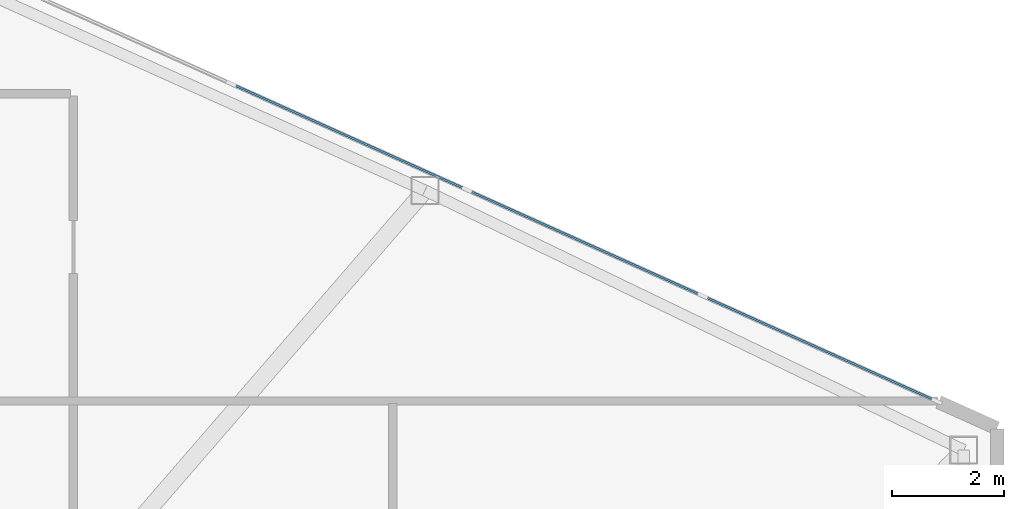
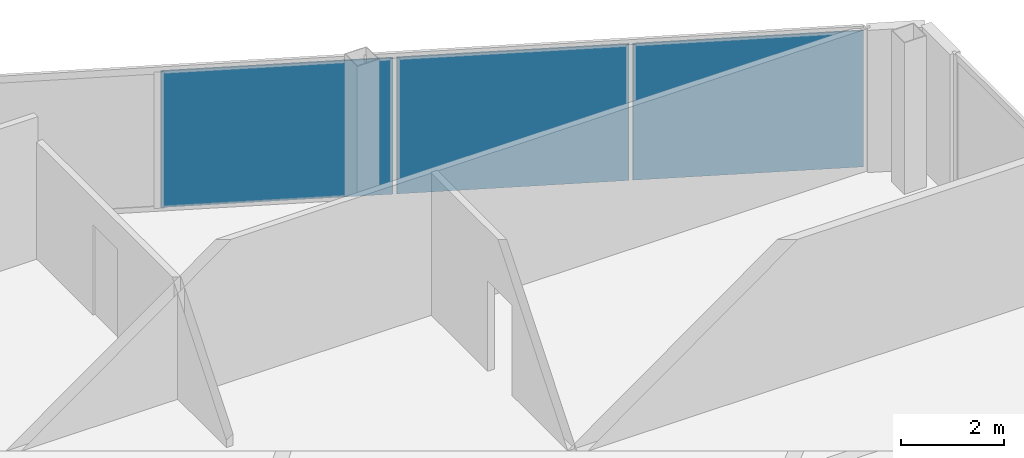
# One storey, part 18 of 27: 3 plates, 1 element without a shape of its own.
"""IFC4 building model written with IfcOpenShell, lengths in metres."""

import ifcopenshell
import ifcopenshell.guid

model = None  # the IFC model being written
_history = None  # IfcOwnerHistory: only IFC2X3 demands one
_inside = {}  # id of a spatial element -> (the spatial element, [elements in it])
_under = {}  # id of a project, library or spatial element -> (it, [spatial elements below it])
_declared = {}  # id of a project -> (the project, [libraries it declares])
_typed = {}  # id of a type object -> (the type object, [elements of that type])
_made_of = {}  # id of a material, layer set ... -> (it, [elements and type objects made of it])


def new_model(schema):
    """Start an empty IFC model of exactly this schema.

    Asked for "IFC4X3", IfcOpenShell would pick the latest addendum, in which some entities
    have other attributes; the version numbers below select the first issue.
    IFC2X3 requires an IfcOwnerHistory on every rooted entity: one is made here for all.
    """
    global model, _history
    if schema == "IFC4X3":
        model = ifcopenshell.file(schema_version=(4, 3, 0, 0))
    else:
        model = ifcopenshell.file(schema=schema)
    _inside.clear()
    _under.clear()
    _declared.clear()
    _typed.clear()
    _made_of.clear()
    _history = None
    if model.schema == "IFC2X3":
        org = make("IfcOrganization", Name="unknown")
        user = make(
            "IfcPersonAndOrganization",
            ThePerson=make("IfcPerson", FamilyName="unknown"),
            TheOrganization=org,
        )
        app = make(
            "IfcApplication",
            ApplicationDeveloper=org,
            Version="unknown",
            ApplicationFullName="unknown",
            ApplicationIdentifier="unknown",
        )
        _history = make(
            "IfcOwnerHistory",
            OwningUser=user,
            OwningApplication=app,
            ChangeAction="ADDED",
            CreationDate=0,
        )
    return model


def make(cls, **values):
    """One entity of the class cls with the attributes given. An attribute that is None is left unset."""
    return model.create_entity(
        cls, **{name: value for name, value in values.items() if value is not None}
    )


def rooted(cls, **values):
    """An entity with a GlobalId (a new one), such as an element, a storey or a relation."""
    return make(cls, GlobalId=ifcopenshell.guid.new(), OwnerHistory=_history, **values)


def si_unit(unit_type, name, prefix=None):
    """IfcSIUnit, for example si_unit("LENGTHUNIT", "METRE", prefix="MILLI")."""
    return make("IfcSIUnit", UnitType=unit_type, Prefix=prefix, Name=name)


def assignment(units):
    """IfcUnitAssignment: the units of a project."""
    return None if units is None else make("IfcUnitAssignment", Units=units)


def point(xyz):
    """IfcCartesianPoint."""
    return None if xyz is None else make("IfcCartesianPoint", Coordinates=xyz)


def direction(xyz):
    """IfcDirection."""
    return None if xyz is None else make("IfcDirection", DirectionRatios=xyz)


def frame(location, z_axis=None, x_axis=None):
    """IfcAxis2Placement3D, a coordinate frame: its origin and axes. An axis left out is left unset."""
    return make(
        "IfcAxis2Placement3D",
        Location=point(location),
        Axis=direction(z_axis),
        RefDirection=direction(x_axis),
    )


def frame_2d(location, x_axis=None):
    """IfcAxis2Placement2D, a coordinate frame in the plane: its origin and x axis."""
    return make(
        "IfcAxis2Placement2D", Location=point(location), RefDirection=direction(x_axis)
    )


def origin():
    """The frame at (0, 0, 0) with its axes left unset."""
    return frame((0.0, 0.0, 0.0))


def origin_2d():
    """The frame at (0, 0) in the plane with its x axis left unset."""
    return frame_2d((0.0, 0.0))


def place(relative_to, where):
    """IfcLocalPlacement: puts the frame where relative to a parent placement (None: the world)."""
    return make(
        "IfcLocalPlacement", PlacementRelTo=relative_to, RelativePlacement=where
    )


def context(
    kind, dimensions, precision=None, world=None, true_north=None, identifier=None
):
    """IfcGeometricRepresentationContext, for example the 3D "Model" context."""
    return make(
        "IfcGeometricRepresentationContext",
        ContextIdentifier=identifier,
        ContextType=kind,
        CoordinateSpaceDimension=dimensions,
        Precision=precision,
        WorldCoordinateSystem=world,
        TrueNorth=true_north,
    )


def subcontext(parent, identifier, kind, view, scale=None):
    """IfcGeometricRepresentationSubContext, for example "Body" below "Model"."""
    return make(
        "IfcGeometricRepresentationSubContext",
        ContextIdentifier=identifier,
        ContextType=kind,
        ParentContext=parent,
        TargetScale=scale,
        TargetView=view,
    )


def project(units=None, contexts=None):
    """IfcProject with its units and contexts."""
    return rooted(
        "IfcProject",
        Name="project",
        RepresentationContexts=contexts,
        UnitsInContext=assignment(units),
    )


def spatial(cls, under=None, at=None, **own):
    """A site, building, storey or space (cls), placed at a placement, below another one or the project."""
    s = rooted(cls, ObjectPlacement=at, **own)
    if under is not None:
        _under.setdefault(under.id(), (under, []))[1].append(s)
    return s


def profile(cls, at=None, kind="AREA", **sizes):
    """A parametric profile (cls). Its sizes go by their IFC names, for example OverallWidth=200.0."""
    return make(cls, ProfileType=kind, Position=at, **sizes)


def rectangle(**sizes):
    """IfcRectangleProfileDef."""
    return profile("IfcRectangleProfileDef", **sizes)


def extrude(swept, where, along, depth):
    """IfcExtrudedAreaSolid: the profile swept, set in the frame where, extruded along a direction by depth."""
    return make(
        "IfcExtrudedAreaSolid",
        SweptArea=swept,
        Position=where,
        ExtrudedDirection=direction(along),
        Depth=depth,
    )


def shape(context_of_items, identifier, shape_type, items):
    """IfcShapeRepresentation: the items that make up one representation, for example the "Body"."""
    return make(
        "IfcShapeRepresentation",
        ContextOfItems=context_of_items,
        RepresentationIdentifier=identifier,
        RepresentationType=shape_type,
        Items=items,
    )


def source(mapping_origin, context_of_items, identifier, shape_type, items):
    """IfcRepresentationMap: a shape defined once, which mapped items show again and again."""
    return make(
        "IfcRepresentationMap",
        MappingOrigin=mapping_origin,
        MappedRepresentation=shape(context_of_items, identifier, shape_type, items),
    )


def transform(
    local_origin,
    x_axis=None,
    y_axis=None,
    z_axis=None,
    scale=None,
    scale2=None,
    scale3=None,
    uniform=True,
):
    """IfcCartesianTransformationOperator3D, or its non-uniform kind. x_axis, y_axis, z_axis: its Axis1, 2, 3."""
    if uniform:
        return make(
            "IfcCartesianTransformationOperator3D",
            Axis1=direction(x_axis),
            Axis2=direction(y_axis),
            LocalOrigin=point(local_origin),
            Scale=scale,
            Axis3=direction(z_axis),
        )
    return make(
        "IfcCartesianTransformationOperator3DnonUniform",
        Axis1=direction(x_axis),
        Axis2=direction(y_axis),
        LocalOrigin=point(local_origin),
        Scale=scale,
        Axis3=direction(z_axis),
        Scale2=scale2,
        Scale3=scale3,
    )


def mapped(mapping_source, mapping_target):
    """IfcMappedItem: shows the shape of a source again, moved by a transform."""
    return make(
        "IfcMappedItem", MappingSource=mapping_source, MappingTarget=mapping_target
    )


def material(Name=None, Category=None):
    """IfcMaterial."""
    return make("IfcMaterial", Name=Name, Category=Category)


def layer(
    of_material, thickness, ventilated=None, Name=None, Category=None, Priority=None
):
    """IfcMaterialLayer: one layer of a wall or slab, of a material (None: an air gap)."""
    return make(
        "IfcMaterialLayer",
        Material=of_material,
        LayerThickness=thickness,
        IsVentilated=ventilated,
        Name=Name,
        Category=Category,
        Priority=Priority,
    )


def layer_set(layers, Name=None):
    """IfcMaterialLayerSet."""
    return make("IfcMaterialLayerSet", MaterialLayers=layers, LayerSetName=Name)


def made_of(thing, what):
    """Note that an element or type object is made of a material, layer set ...; save() writes the relation."""
    if what is not None:
        _made_of.setdefault(what.id(), (what, []))[1].append(thing)
    return thing


def type_object(cls, material=None, **own):
    """A type object (cls), such as IfcWallType, which elements share."""
    return made_of(rooted(cls, **own), material)


def type_shapes(of_type, sources):
    """Give a type object the sources (RepresentationMaps) that its elements show as mapped items."""
    of_type.RepresentationMaps = sources


def element(
    cls,
    number,
    at=None,
    inside=None,
    cuts=None,
    type_object=None,
    material=None,
    context=None,
    identifier="Body",
    shape_type=None,
    held_by="IfcProductDefinitionShape",
    body=None,
    shapes=None,
    **own,
):
    """One element of the class cls, such as IfcWall. Its Tag is "e" and its number.

    at: its placement. inside: the storey or other place that contains it. cuts: it is an
    opening in that element (IfcRelVoidsElement). A single representation is given by context,
    identifier, shape_type and body (its items); several are given by shapes. held_by: the class
    of the entity that holds the representations. save() writes the other relations.
    """
    e = rooted(cls, Tag="e%d" % number, ObjectPlacement=at, **own)
    if body is not None:
        shapes = [shape(context, identifier, shape_type, body)]
    if shapes is not None:
        e.Representation = make(held_by, Representations=shapes)
    if inside is not None:
        _inside.setdefault(inside.id(), (inside, []))[1].append(e)
    if cuts is not None:
        rooted(
            "IfcRelVoidsElement", RelatingBuildingElement=cuts, RelatedOpeningElement=e
        )
    if type_object is not None:
        _typed.setdefault(type_object.id(), (type_object, []))[1].append(e)
    return made_of(e, material)


def aggregate(whole, parts):
    """IfcRelAggregates: a whole, such as a stair, and the parts it consists of."""
    return rooted("IfcRelAggregates", RelatingObject=whole, RelatedObjects=parts)


def save(model, path):
    """Write the relations noted so far, then the file.

    IfcRelAggregates (storeys below a building ...), IfcRelContainedInSpatialStructure (elements
    in a storey), IfcRelDefinesByType, IfcRelAssociatesMaterial and IfcRelDeclares: one each for
    every whole, place, type object, material and project.
    """
    for whole, parts in _under.values():
        aggregate(whole, parts)
    for where, things in _inside.values():
        rooted(
            "IfcRelContainedInSpatialStructure",
            RelatedElements=things,
            RelatingStructure=where,
        )
    for kind, things in _typed.values():
        rooted("IfcRelDefinesByType", RelatedObjects=things, RelatingType=kind)
    for what, things in _made_of.values():
        rooted("IfcRelAssociatesMaterial", RelatedObjects=things, RelatingMaterial=what)
    for by, libraries in _declared.values():
        rooted("IfcRelDeclares", RelatingContext=by, RelatedDefinitions=libraries)
    model.write(path)


model = new_model("IFC4")

# Units and contexts
model_context = context("Model", 3, precision=1e-05, world=origin(), true_north=direction((0.0, 1.0)))
body_context = subcontext(model_context, "Body", "Model", "MODEL_VIEW")
ifc_project = project(units=[si_unit("LENGTHUNIT", "METRE"), si_unit("AREAUNIT", "SQUARE_METRE"), si_unit("VOLUMEUNIT", "CUBIC_METRE"), si_unit("PLANEANGLEUNIT", "RADIAN"), si_unit("MASSUNIT", "GRAM", prefix="KILO")], contexts=[model_context])

# Site, building, storey
site_placement = place(None, origin())
site = spatial("IfcSite", under=ifc_project, at=site_placement, CompositionType="ELEMENT")
building_placement = place(site_placement, origin())
building = spatial("IfcBuilding", under=site, at=building_placement, Name="Seokmaru Belvedere", CompositionType="ELEMENT")
storey_placement = place(building_placement, frame((0.0, 0.0, 106.800048828125)))
storey = spatial("IfcBuildingStorey", under=building, at=storey_placement, Name="L28", CompositionType="ELEMENT", Elevation=106.800048828125)

# Curtain wall, plates
ifc_material = material(Name="Bronze Triple Insulating Glass", Category="glass")
ifc_layer_1 = layer(ifc_material, 0.195068359375)
ifc_layer_set_1 = layer_set([ifc_layer_1], Name="Bronze Triple Insulating Glass")
curtain_wall_type = type_object("IfcCurtainWallType", Name="Lower-Mid Tapered Curtain Wall System CW-3", PredefinedType="NOTDEFINED", material=ifc_layer_set_1)
curtain_wall_placement = place(storey_placement, origin())
curtain_wall = element("IfcCurtainWall", 1, at=curtain_wall_placement, inside=storey, type_object=curtain_wall_type, Name="L28 Curtain Wall EF3", PredefinedType="NOTDEFINED")
ifc_layer_2 = layer(ifc_material, 0.035888671875)
ifc_layer_set_2 = layer_set([ifc_layer_2], Name="Bronze Triple Insulating Glass")
plate_type = type_object("IfcPlateType", Name="Bronze Triple Vision Glazing Panel 36", PredefinedType="CURTAIN_PANEL", material=ifc_layer_set_2)
shared_shape_1 = source(origin(), body_context, "Body", "SweptSolid", [
    extrude(rectangle(XDim=4.51318359375, YDim=0.035888671875, at=origin_2d()), origin(), (0.0, 0.0, 1.0), 3.239990234375),
])
plate_1_placement = place(storey_placement, frame((67.82958984375, 8.926513671875, 0.06982421875), z_axis=(0.0, 0.0, 1.0), x_axis=(-0.91192111353, 0.41036554765, 0.0)))
plate_1 = element("IfcPlate", 2, at=plate_1_placement, type_object=plate_type, Name="CW:L28:EF3 Glazing Panel 1-1", PredefinedType="CURTAIN_PANEL", context=body_context, shape_type="MappedRepresentation", body=[
    mapped(shared_shape_1, transform((0.0, 0.0, 0.0), scale=1.0)),
])
shared_shape_2 = source(origin(), body_context, "Body", "SweptSolid", [
    extrude(rectangle(XDim=4.548095703125, YDim=0.035888671875, at=origin_2d()), origin(), (0.0, 0.0, 1.0), 3.239990234375),
])
type_shapes(plate_type, [shared_shape_1, shared_shape_2])
plate_2_placement = place(storey_placement, frame((63.63427734375, 10.814697265625, 0.06982421875), z_axis=(0.0, 0.0, 1.0), x_axis=(-0.91192111353, 0.41036554765, 0.0)))
plate_2 = element("IfcPlate", 3, at=plate_2_placement, type_object=plate_type, Name="CW:L28:EF3 Glazing Panel 2-1", PredefinedType="CURTAIN_PANEL", context=body_context, shape_type="MappedRepresentation", body=[
    mapped(shared_shape_2, transform((0.0, 0.0, 0.0), scale=1.0)),
])
plate_3_placement = place(storey_placement, frame((59.4228515625, 12.709716796875, 0.06982421875), z_axis=(0.0, 0.0, 1.0), x_axis=(-0.91192111353, 0.41036554765, 0.0)))
plate_3 = element("IfcPlate", 4, at=plate_3_placement, type_object=plate_type, Name="CW:L28:EF3 Glazing Panel 3-1", PredefinedType="CURTAIN_PANEL", context=body_context, shape_type="MappedRepresentation", body=[
    mapped(shared_shape_2, transform((0.0, 0.0, 0.0), scale=1.0)),
])
aggregate(curtain_wall, [plate_1, plate_2, plate_3])

save(model, "model.ifc")
